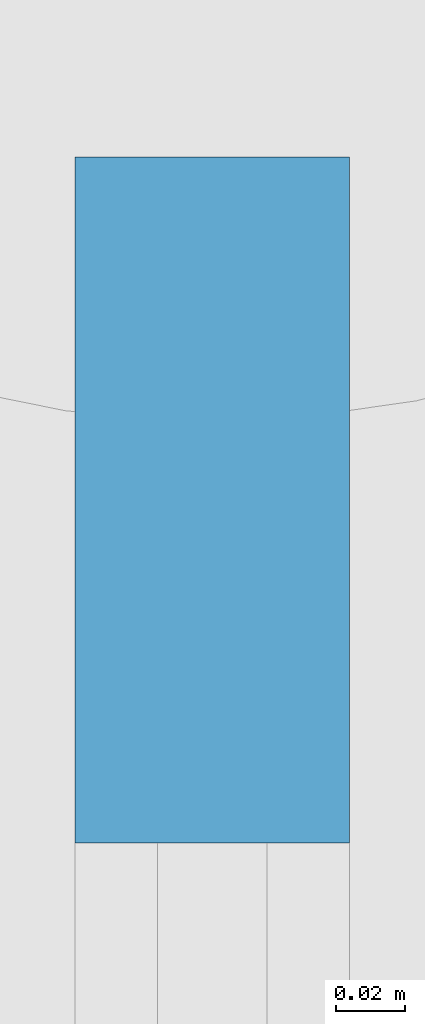
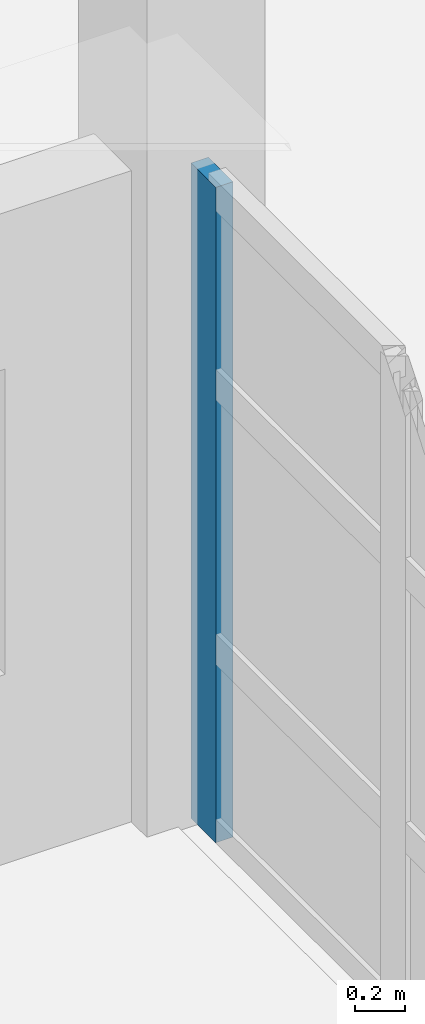
# One storey, part 36 of 88: 1 member, 1 element without a shape of its own.
"""IFC4 building model written with IfcOpenShell, lengths in metres."""

from ifc_helpers import new_model, si_unit, direction, frame, origin, origin_2d, place, context, subcontext, project, spatial, rectangle, extrude, material, material_profile, profile_set, type_object, element, aggregate, save


model = new_model("IFC4")

# Units and contexts
model_context = context("Model", 3, precision=1e-05, world=origin(), true_north=direction((0.0, 1.0)))
body_context = subcontext(model_context, "Body", "Model", "MODEL_VIEW")
ifc_project = project(units=[si_unit("LENGTHUNIT", "METRE"), si_unit("AREAUNIT", "SQUARE_METRE"), si_unit("VOLUMEUNIT", "CUBIC_METRE"), si_unit("PLANEANGLEUNIT", "RADIAN"), si_unit("MASSUNIT", "GRAM", prefix="KILO")], contexts=[model_context])

# Site, building, storey
site_placement = place(None, origin())
site = spatial("IfcSite", under=ifc_project, at=site_placement, CompositionType="ELEMENT")
building_placement = place(site_placement, origin())
building = spatial("IfcBuilding", under=site, at=building_placement, Name="Vanh Quang Courtyard School", CompositionType="ELEMENT")
storey_placement = place(building_placement, origin())
storey = spatial("IfcBuildingStorey", under=building, at=storey_placement, Name="L00", CompositionType="ELEMENT", Elevation=0.0)

# Curtain wall, member
ifc_material_1 = material(Name="Thermally broken aluminium unitised curtain wall", Category="aluminium")
curtain_wall_type = type_object("IfcCurtainWallType", Name="CW-SYS-01", PredefinedType="NOTDEFINED", material=ifc_material_1)
curtain_wall_placement = place(storey_placement, origin())
curtain_wall = element("IfcCurtainWall", 1, at=curtain_wall_placement, inside=storey, type_object=curtain_wall_type, Name="Curtain Wall CW-01 (L00)", PredefinedType="NOTDEFINED")
ifc_material_2 = material(Name="Anodised aluminium 6063-T6", Category="aluminium")
ifc_material_profile = material_profile(ifc_material_2, rectangle(XDim=0.080078125, YDim=0.199951171875, at=origin_2d()), Name="ALU-MUL 80x200")
ifc_profile_set = profile_set([ifc_material_profile], Name="Anodised aluminium 6063-T6")
member_type = type_object("IfcMemberType", Name="CW-MUL-80x200", PredefinedType="MULLION", material=ifc_profile_set)
member_placement = place(storey_placement, frame((119.39990234375, 96.277099609375, 0.0), z_axis=(0.0, 0.0, 1.0), x_axis=(1.0, 0.0, 0.0)))
member = element("IfcMember", 2, at=member_placement, type_object=member_type, Name="CW-01 mullion 1", PredefinedType="MULLION", context=body_context, shape_type="SweptSolid", body=[
    extrude(rectangle(XDim=0.080078125, YDim=0.199951171875, at=origin_2d()), origin(), (0.0, 0.0, 1.0), 3.219970703125),
])
aggregate(curtain_wall, [member])

save(model, "model.ifc")
